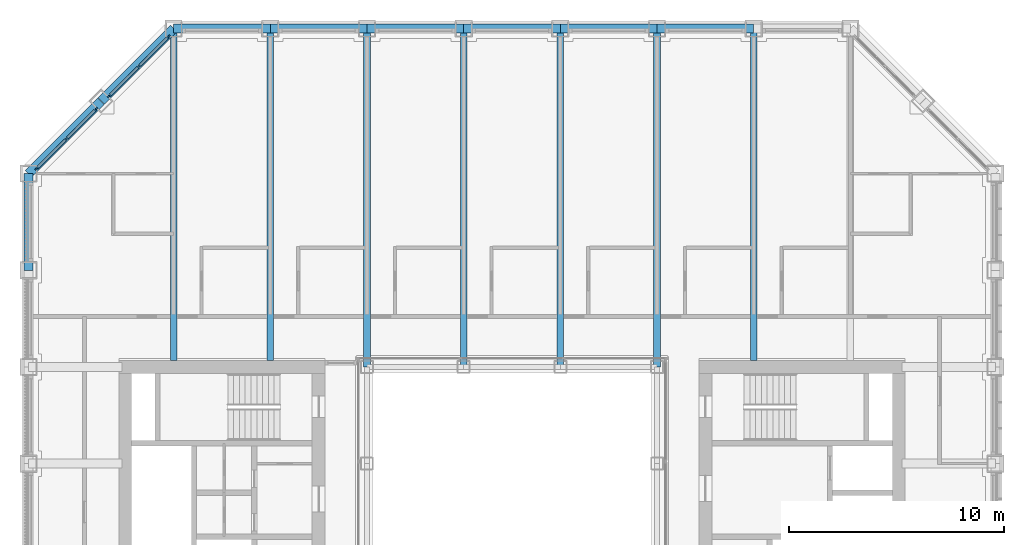
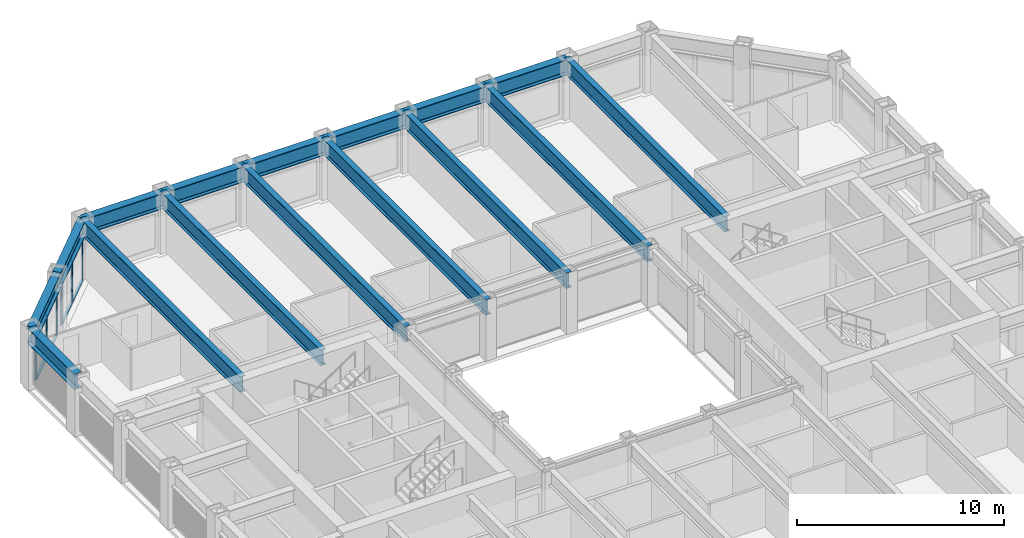
# One storey, part 7 of 18: 16 beams, 14 members, 2 elements without a shape of their own.
"""IFC4 building model written with IfcOpenShell, lengths in metres."""

from ifc_helpers import new_model, si_unit, direction, frame, origin, origin_2d, place, context, subcontext, project, spatial, rectangle, i_section, extrude, material, material_profile, profile_set, type_object, element, aggregate, save


model = new_model("IFC4")

# Units and contexts
model_context = context("Model", 3, precision=1e-05, world=origin(), true_north=direction((0.0, 1.0)))
body_context = subcontext(model_context, "Body", "Model", "MODEL_VIEW")
ifc_project = project(units=[si_unit("LENGTHUNIT", "METRE"), si_unit("AREAUNIT", "SQUARE_METRE"), si_unit("VOLUMEUNIT", "CUBIC_METRE"), si_unit("PLANEANGLEUNIT", "RADIAN"), si_unit("MASSUNIT", "GRAM", prefix="KILO")], contexts=[model_context])

# Site, building, storey
site_placement = place(None, origin())
site = spatial("IfcSite", under=ifc_project, at=site_placement, CompositionType="ELEMENT")
building_placement = place(site_placement, origin())
building = spatial("IfcBuilding", under=site, at=building_placement, Name="Msasa Ring Tower", CompositionType="ELEMENT")
storey_placement = place(building_placement, frame((0.0, 0.0, 122.0)))
storey = spatial("IfcBuildingStorey", under=building, at=storey_placement, Name="L31", CompositionType="ELEMENT", Elevation=122.0)

# Curtain wall, members
ifc_material_1 = material(Name="Aluminium curtain wall with clear glass", Category="aluminium")
curtain_wall_type = type_object("IfcCurtainWallType", Name="CW-C CHAMFER CORNER CURTAIN WALL", PredefinedType="NOTDEFINED", material=ifc_material_1)
curtain_wall_1_placement = place(storey_placement, origin())
curtain_wall_1 = element("IfcCurtainWall", 1, at=curtain_wall_1_placement, inside=storey, type_object=curtain_wall_type, Name="Chamfer corner curtain wall NW L31", PredefinedType="NOTDEFINED")
ifc_material_2 = material(Name="Aluminium mullion", Category="aluminium")
ifc_material_profile_1 = material_profile(ifc_material_2, rectangle(XDim=0.06494140625, YDim=0.179931640625, at=origin_2d()), Name="AL 65x180")
ifc_profile_set_1 = profile_set([ifc_material_profile_1], Name="Aluminium mullion")
member_type_1 = type_object("IfcMemberType", Name="CW-C MULLION 65x180", PredefinedType="MULLION", material=ifc_profile_set_1)
member_1_placement = place(storey_placement, frame((-19.36376953125, 18.744873046875, 0.0), z_axis=(0.0, 0.0, 1.0), x_axis=(0.707106781187, -0.707106781187, 0.0)))
member_1 = element("IfcMember", 2, at=member_1_placement, type_object=member_type_1, Name="CW-C mullion 1", PredefinedType="MULLION", context=body_context, shape_type="SweptSolid", body=[
    extrude(rectangle(XDim=0.06494140625, YDim=0.179931640625, at=origin_2d()), origin(), (0.0, 0.0, 1.0), 2.47900390625),
])
member_2_placement = place(storey_placement, frame((-20.74169921875, 17.36669921875, 0.0), z_axis=(0.0, 0.0, 1.0), x_axis=(0.707106781187, -0.707106781187, 0.0)))
member_2 = element("IfcMember", 3, at=member_2_placement, type_object=member_type_1, Name="CW-C mullion 2", PredefinedType="MULLION", context=body_context, shape_type="SweptSolid", body=[
    extrude(rectangle(XDim=0.06494140625, YDim=0.179931640625, at=origin_2d()), origin(), (0.0, 0.0, 1.0), 2.47900390625),
])
member_3_placement = place(storey_placement, frame((-22.119873046875, 15.98876953125, 0.0), z_axis=(0.0, 0.0, 1.0), x_axis=(0.707106781187, -0.707106781187, 0.0)))
member_3 = element("IfcMember", 4, at=member_3_placement, type_object=member_type_1, Name="CW-C mullion 3", PredefinedType="MULLION", context=body_context, shape_type="SweptSolid", body=[
    extrude(rectangle(XDim=0.06494140625, YDim=0.179931640625, at=origin_2d()), origin(), (0.0, 0.0, 1.0), 2.47900390625),
])

curtain_wall_2_placement = place(storey_placement, origin())
curtain_wall_2 = element("IfcCurtainWall", 5, at=curtain_wall_2_placement, inside=storey, type_object=curtain_wall_type, Name="Chamfer corner curtain wall NW L31", PredefinedType="NOTDEFINED")
member_4_placement = place(storey_placement, frame((-15.98876953125, 22.119873046875, 0.0), z_axis=(0.0, 0.0, 1.0), x_axis=(0.707106781187, -0.707106781187, 0.0)))
member_4 = element("IfcMember", 6, at=member_4_placement, type_object=member_type_1, Name="CW-C mullion 1", PredefinedType="MULLION", context=body_context, shape_type="SweptSolid", body=[
    extrude(rectangle(XDim=0.06494140625, YDim=0.179931640625, at=origin_2d()), origin(), (0.0, 0.0, 1.0), 2.47900390625),
])
member_5_placement = place(storey_placement, frame((-17.36669921875, 20.74169921875, 0.0), z_axis=(0.0, 0.0, 1.0), x_axis=(0.707106781187, -0.707106781187, 0.0)))
member_5 = element("IfcMember", 7, at=member_5_placement, type_object=member_type_1, Name="CW-C mullion 2", PredefinedType="MULLION", context=body_context, shape_type="SweptSolid", body=[
    extrude(rectangle(XDim=0.06494140625, YDim=0.179931640625, at=origin_2d()), origin(), (0.0, 0.0, 1.0), 2.47900390625),
])
member_6_placement = place(storey_placement, frame((-18.744873046875, 19.36376953125, 0.0), z_axis=(0.0, 0.0, 1.0), x_axis=(0.707106781187, -0.707106781187, 0.0)))
member_6 = element("IfcMember", 8, at=member_6_placement, type_object=member_type_1, Name="CW-C mullion 3", PredefinedType="MULLION", context=body_context, shape_type="SweptSolid", body=[
    extrude(rectangle(XDim=0.06494140625, YDim=0.179931640625, at=origin_2d()), origin(), (0.0, 0.0, 1.0), 2.47900390625),
])

# Member
ifc_material_3 = material(Name="Aluminium transom", Category="aluminium")
ifc_material_profile_2 = material_profile(ifc_material_3, rectangle(XDim=0.139892578125, YDim=0.06494140625, at=origin_2d()), Name="AL 65x140")
ifc_profile_set_2 = profile_set([ifc_material_profile_2], Name="Aluminium transom")
member_type_2 = type_object("IfcMemberType", Name="CW-C TRANSOM 65x140", PredefinedType="USERDEFINED", material=ifc_profile_set_2)
member_7_placement = place(storey_placement, frame((-19.38671875, 18.721923828125, 0.032470703125), z_axis=(-0.707106781187, -0.707106781187, 0.0), x_axis=(0.707106781187, -0.707106781187, 0.0)))
member_7 = element("IfcMember", 9, at=member_7_placement, type_object=member_type_2, Name="CW-C transom 1.1", ObjectType="TRANSOM", PredefinedType="USERDEFINED", context=body_context, shape_type="SweptSolid", body=[
    extrude(rectangle(XDim=0.139892578125, YDim=0.06494140625, at=origin_2d()), origin(), (0.0, 0.0, 1.0), 1.8837890625),
])

member_8_placement = place(storey_placement, frame((-19.38671875, 18.721923828125, 2.446533203125), z_axis=(-0.707106781187, -0.707106781187, 0.0), x_axis=(0.707106781187, -0.707106781187, 0.0)))
member_8 = element("IfcMember", 10, at=member_8_placement, type_object=member_type_2, Name="CW-C transom 1.2", ObjectType="TRANSOM", PredefinedType="USERDEFINED", context=body_context, shape_type="SweptSolid", body=[
    extrude(rectangle(XDim=0.139892578125, YDim=0.06494140625, at=origin_2d()), origin(), (0.0, 0.0, 1.0), 1.8837890625),
])

member_9_placement = place(storey_placement, frame((-20.764892578125, 17.34375, 0.032470703125), z_axis=(-0.707106781187, -0.707106781187, 0.0), x_axis=(0.707106781187, -0.707106781187, 0.0)))
member_9 = element("IfcMember", 11, at=member_9_placement, type_object=member_type_2, Name="CW-C transom 2.1", ObjectType="TRANSOM", PredefinedType="USERDEFINED", context=body_context, shape_type="SweptSolid", body=[
    extrude(rectangle(XDim=0.139892578125, YDim=0.06494140625, at=origin_2d()), origin(), (0.0, 0.0, 1.0), 1.8837890625),
])

member_10_placement = place(storey_placement, frame((-20.764892578125, 17.34375, 2.446533203125), z_axis=(-0.707106781187, -0.707106781187, 0.0), x_axis=(0.707106781187, -0.707106781187, 0.0)))
member_10 = element("IfcMember", 12, at=member_10_placement, type_object=member_type_2, Name="CW-C transom 2.2", ObjectType="TRANSOM", PredefinedType="USERDEFINED", context=body_context, shape_type="SweptSolid", body=[
    extrude(rectangle(XDim=0.139892578125, YDim=0.06494140625, at=origin_2d()), origin(), (0.0, 0.0, 1.0), 1.8837890625),
])

aggregate(curtain_wall_1, [member_1, member_2, member_3, member_7, member_8, member_9, member_10])

member_11_placement = place(storey_placement, frame((-16.01171875, 22.096923828125, 0.032470703125), z_axis=(-0.707106781187, -0.707106781187, 0.0), x_axis=(0.707106781187, -0.707106781187, 0.0)))
member_11 = element("IfcMember", 13, at=member_11_placement, type_object=member_type_2, Name="CW-C transom 1.1", ObjectType="TRANSOM", PredefinedType="USERDEFINED", context=body_context, shape_type="SweptSolid", body=[
    extrude(rectangle(XDim=0.139892578125, YDim=0.06494140625, at=origin_2d()), origin(), (0.0, 0.0, 1.0), 1.8837890625),
])

member_12_placement = place(storey_placement, frame((-16.01171875, 22.096923828125, 2.446533203125), z_axis=(-0.707106781187, -0.707106781187, 0.0), x_axis=(0.707106781187, -0.707106781187, 0.0)))
member_12 = element("IfcMember", 14, at=member_12_placement, type_object=member_type_2, Name="CW-C transom 1.2", ObjectType="TRANSOM", PredefinedType="USERDEFINED", context=body_context, shape_type="SweptSolid", body=[
    extrude(rectangle(XDim=0.139892578125, YDim=0.06494140625, at=origin_2d()), origin(), (0.0, 0.0, 1.0), 1.8837890625),
])

member_13_placement = place(storey_placement, frame((-17.389892578125, 20.71875, 0.032470703125), z_axis=(-0.707106781187, -0.707106781187, 0.0), x_axis=(0.707106781187, -0.707106781187, 0.0)))
member_13 = element("IfcMember", 15, at=member_13_placement, type_object=member_type_2, Name="CW-C transom 2.1", ObjectType="TRANSOM", PredefinedType="USERDEFINED", context=body_context, shape_type="SweptSolid", body=[
    extrude(rectangle(XDim=0.139892578125, YDim=0.06494140625, at=origin_2d()), origin(), (0.0, 0.0, 1.0), 1.8837890625),
])

member_14_placement = place(storey_placement, frame((-17.389892578125, 20.71875, 2.446533203125), z_axis=(-0.707106781187, -0.707106781187, 0.0), x_axis=(0.707106781187, -0.707106781187, 0.0)))
member_14 = element("IfcMember", 16, at=member_14_placement, type_object=member_type_2, Name="CW-C transom 2.2", ObjectType="TRANSOM", PredefinedType="USERDEFINED", context=body_context, shape_type="SweptSolid", body=[
    extrude(rectangle(XDim=0.139892578125, YDim=0.06494140625, at=origin_2d()), origin(), (0.0, 0.0, 1.0), 1.8837890625),
])

aggregate(curtain_wall_2, [member_4, member_5, member_6, member_11, member_12, member_13, member_14])

# Beams
ifc_material_4 = material(Name="Steel S355", Category="steel")
ifc_material_profile_3 = material_profile(ifc_material_4, i_section(OverallWidth=0.3076171875, OverallDepth=0.926513671875, WebThickness=0.01953125, FlangeThickness=0.031982421875, FilletRadius=0.01904296875, at=origin_2d()), Name="UB 914x305x289")
ifc_profile_set_3 = profile_set([ifc_material_profile_3], Name="Steel S355")
beam_type_1 = type_object("IfcBeamType", Name="FB3 UB 914x305x289", PredefinedType="BEAM", material=ifc_profile_set_3)
for number, where, z_axis, x_axis, name in (
    (17, (-15.75, 22.5, 2.936767578125), (0.0, -1.0, 0.0), (1.0, 0.0, 0.0), "Floor beam N-15.75 under L32"),
    (18, (-11.25, 22.5, 2.936767578125), (0.0, -1.0, 0.0), (1.0, 0.0, 0.0), "Floor beam N-11.25 under L32"),
):
    element("IfcBeam", number, at=place(storey_placement, frame(where, z_axis=z_axis, x_axis=x_axis)), inside=storey, type_object=beam_type_1, Name=name, PredefinedType="BEAM", context=body_context, shape_type="SweptSolid", body=[
        extrude(i_section(OverallWidth=0.3076171875, OverallDepth=0.926513671875, WebThickness=0.01953125, FlangeThickness=0.031982421875, FilletRadius=0.01904296875, at=origin_2d()), origin(), (0.0, 0.0, 1.0), 15.449951171875),
    ])
for number, where, z_axis, x_axis, name in (
    (19, (-6.75, 22.5, 2.936767578125), (0.0, -1.0, 0.0), (1.0, 0.0, 0.0), "Floor beam N-6.75 under L32"),
    (20, (-2.25, 22.5, 2.936767578125), (0.0, -1.0, 0.0), (1.0, 0.0, 0.0), "Floor beam N-2.25 under L32"),
    (21, (2.25, 22.5, 2.936767578125), (0.0, -1.0, 0.0), (1.0, 0.0, 0.0), "Floor beam N+2.25 under L32"),
    (22, (6.75, 22.5, 2.936767578125), (0.0, -1.0, 0.0), (1.0, 0.0, 0.0), "Floor beam N+6.75 under L32"),
):
    element("IfcBeam", number, at=place(storey_placement, frame(where, z_axis=z_axis, x_axis=x_axis)), inside=storey, type_object=beam_type_1, Name=name, PredefinedType="BEAM", context=body_context, shape_type="SweptSolid", body=[
        extrude(i_section(OverallWidth=0.3076171875, OverallDepth=0.926513671875, WebThickness=0.01953125, FlangeThickness=0.031982421875, FilletRadius=0.01904296875, at=origin_2d()), origin(), (0.0, 0.0, 1.0), 15.75),
    ])
beam_1_placement = place(storey_placement, frame((11.25, 22.5, 2.936767578125), z_axis=(0.0, -1.0, 0.0), x_axis=(1.0, 0.0, 0.0)))
element("IfcBeam", 23, at=beam_1_placement, inside=storey, type_object=beam_type_1, Name="Floor beam N+11.25 under L32", PredefinedType="BEAM", context=body_context, shape_type="SweptSolid", body=[
    extrude(i_section(OverallWidth=0.3076171875, OverallDepth=0.926513671875, WebThickness=0.01953125, FlangeThickness=0.031982421875, FilletRadius=0.01904296875, at=origin_2d()), origin(), (0.0, 0.0, 1.0), 15.449951171875),
])
ifc_material_5 = material(Name="Steel S355", Category="steel")
ifc_material_profile_4 = material_profile(ifc_material_5, i_section(OverallWidth=0.42041015625, OverallDepth=0.9208984375, WebThickness=0.021484375, FlangeThickness=0.03662109375, FilletRadius=0.024169921875, at=origin_2d()), Name="UB 914x419x388")
ifc_profile_set_4 = profile_set([ifc_material_profile_4], Name="Steel S355")
beam_type_2 = type_object("IfcBeamType", Name="SB1 UB 914x419x388", PredefinedType="SPANDREL", material=ifc_profile_set_4)
for number, where, z_axis, x_axis, name in (
    (24, (11.25, 22.5, 2.939453125), (-1.0, 0.0, 0.0), (0.0, -1.0, 0.0), "Spandrel N+11.25 to N+6.75 under L32"),
    (25, (6.75, 22.5, 2.939453125), (-1.0, 0.0, 0.0), (0.0, -1.0, 0.0), "Spandrel N+6.75 to N+2.25 under L32"),
    (26, (2.25, 22.5, 2.939453125), (-1.0, 0.0, 0.0), (0.0, -1.0, 0.0), "Spandrel N+2.25 to N-2.25 under L32"),
    (27, (-2.25, 22.5, 2.939453125), (-1.0, 0.0, 0.0), (0.0, -1.0, 0.0), "Spandrel N-2.25 to N-6.75 under L32"),
    (28, (-6.75, 22.5, 2.939453125), (-1.0, 0.0, 0.0), (0.0, -1.0, 0.0), "Spandrel N-6.75 to N-11.25 under L32"),
    (29, (-11.25, 22.5, 2.939453125), (-1.0, 0.0, 0.0), (0.0, -1.0, 0.0), "Spandrel N-11.25 to N-15.75 under L32"),
):
    element("IfcBeam", number, at=place(storey_placement, frame(where, z_axis=z_axis, x_axis=x_axis)), inside=storey, type_object=beam_type_2, Name=name, PredefinedType="SPANDREL", context=body_context, shape_type="SweptSolid", body=[
        extrude(i_section(OverallWidth=0.42041015625, OverallDepth=0.9208984375, WebThickness=0.021484375, FlangeThickness=0.03662109375, FilletRadius=0.024169921875, at=origin_2d()), origin(), (0.0, 0.0, 1.0), 4.5),
    ])
for number, where, z_axis, x_axis, name in (
    (30, (-15.75, 22.5, 2.939453125), (-0.707106781187, -0.707106781187, 0.0), (0.707106781187, -0.707106781187, 0.0), "Spandrel N-15.75 to NW under L32"),
    (31, (-19.125, 19.125, 2.939453125), (-0.707106781187, -0.707106781187, 0.0), (0.707106781187, -0.707106781187, 0.0), "Spandrel NW to W+15.75 under L32"),
):
    element("IfcBeam", number, at=place(storey_placement, frame(where, z_axis=z_axis, x_axis=x_axis)), inside=storey, type_object=beam_type_2, Name=name, PredefinedType="SPANDREL", context=body_context, shape_type="SweptSolid", body=[
        extrude(i_section(OverallWidth=0.42041015625, OverallDepth=0.9208984375, WebThickness=0.021484375, FlangeThickness=0.03662109375, FilletRadius=0.024169921875, at=origin_2d()), origin(), (0.0, 0.0, 1.0), 4.77294921875),
    ])
beam_2_placement = place(storey_placement, frame((-22.5, 15.75, 2.939453125), z_axis=(0.0, -1.0, 0.0), x_axis=(1.0, 0.0, 0.0)))
element("IfcBeam", 32, at=beam_2_placement, inside=storey, type_object=beam_type_2, Name="Spandrel W+15.75 to W+11.25 under L32", PredefinedType="SPANDREL", context=body_context, shape_type="SweptSolid", body=[
    extrude(i_section(OverallWidth=0.42041015625, OverallDepth=0.9208984375, WebThickness=0.021484375, FlangeThickness=0.03662109375, FilletRadius=0.024169921875, at=origin_2d()), origin(), (0.0, 0.0, 1.0), 4.5),
])

save(model, "model.ifc")
